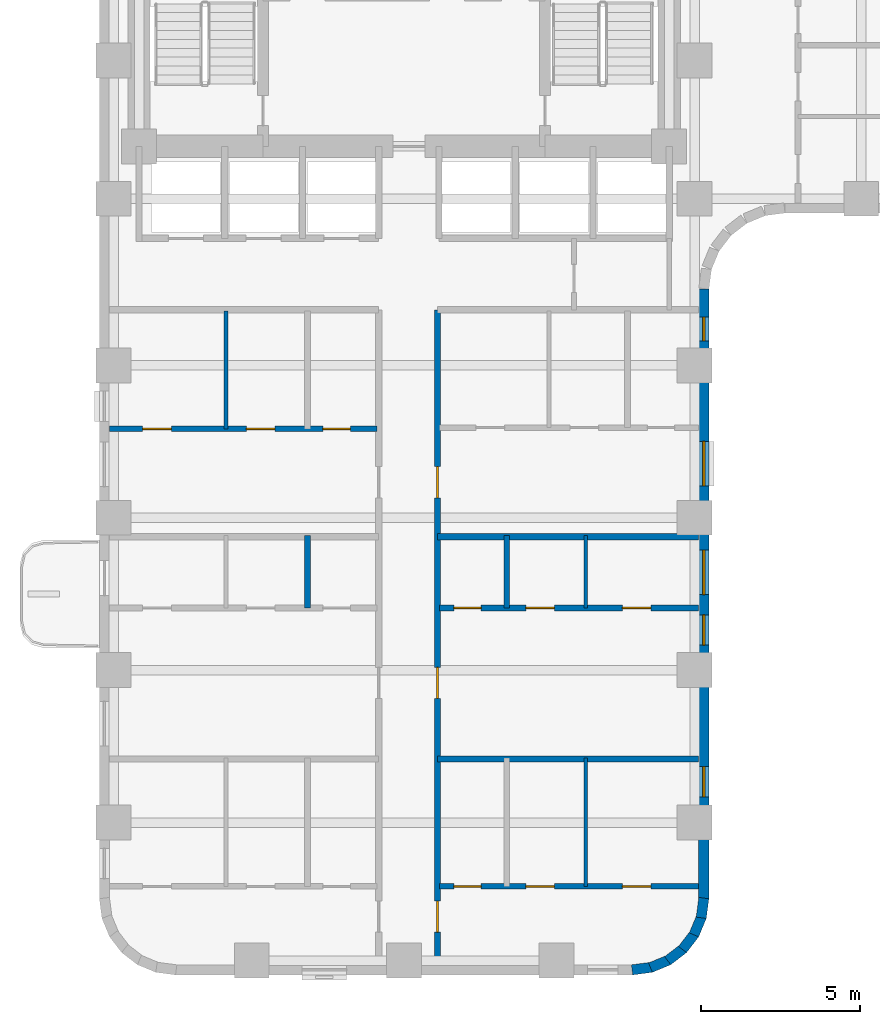
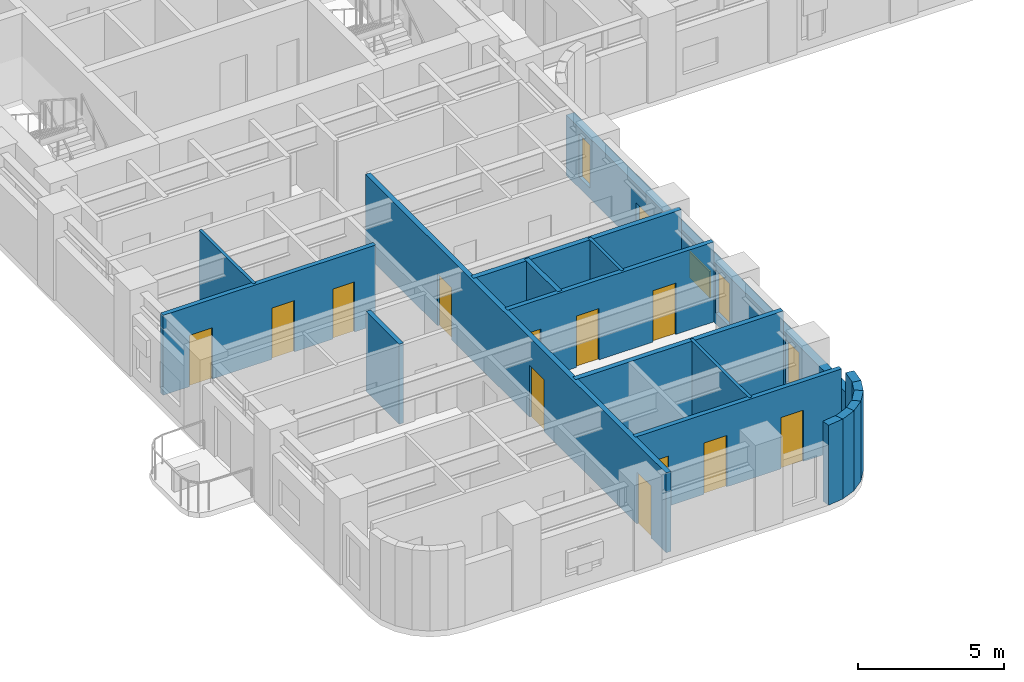
# One storey, part 3 of 10: 18 walls, 12 doors, 5 windows, 17 openings.
"""IFC4 building model written with IfcOpenShell, lengths in metres."""

import ifcopenshell
import ifcopenshell.guid

model = None  # the IFC model being written
_history = None  # IfcOwnerHistory: only IFC2X3 demands one
_inside = {}  # id of a spatial element -> (the spatial element, [elements in it])
_under = {}  # id of a project, library or spatial element -> (it, [spatial elements below it])
_declared = {}  # id of a project -> (the project, [libraries it declares])
_typed = {}  # id of a type object -> (the type object, [elements of that type])
_made_of = {}  # id of a material, layer set ... -> (it, [elements and type objects made of it])


def new_model(schema):
    """Start an empty IFC model of exactly this schema.

    Asked for "IFC4X3", IfcOpenShell would pick the latest addendum, in which some entities
    have other attributes; the version numbers below select the first issue.
    IFC2X3 requires an IfcOwnerHistory on every rooted entity: one is made here for all.
    """
    global model, _history
    if schema == "IFC4X3":
        model = ifcopenshell.file(schema_version=(4, 3, 0, 0))
    else:
        model = ifcopenshell.file(schema=schema)
    _inside.clear()
    _under.clear()
    _declared.clear()
    _typed.clear()
    _made_of.clear()
    _history = None
    if model.schema == "IFC2X3":
        org = make("IfcOrganization", Name="unknown")
        user = make(
            "IfcPersonAndOrganization",
            ThePerson=make("IfcPerson", FamilyName="unknown"),
            TheOrganization=org,
        )
        app = make(
            "IfcApplication",
            ApplicationDeveloper=org,
            Version="unknown",
            ApplicationFullName="unknown",
            ApplicationIdentifier="unknown",
        )
        _history = make(
            "IfcOwnerHistory",
            OwningUser=user,
            OwningApplication=app,
            ChangeAction="ADDED",
            CreationDate=0,
        )
    return model


def make(cls, **values):
    """One entity of the class cls with the attributes given. An attribute that is None is left unset."""
    return model.create_entity(
        cls, **{name: value for name, value in values.items() if value is not None}
    )


def rooted(cls, **values):
    """An entity with a GlobalId (a new one), such as an element, a storey or a relation."""
    return make(cls, GlobalId=ifcopenshell.guid.new(), OwnerHistory=_history, **values)


def si_unit(unit_type, name, prefix=None):
    """IfcSIUnit, for example si_unit("LENGTHUNIT", "METRE", prefix="MILLI")."""
    return make("IfcSIUnit", UnitType=unit_type, Prefix=prefix, Name=name)


def assignment(units):
    """IfcUnitAssignment: the units of a project."""
    return None if units is None else make("IfcUnitAssignment", Units=units)


def point(xyz):
    """IfcCartesianPoint."""
    return None if xyz is None else make("IfcCartesianPoint", Coordinates=xyz)


def direction(xyz):
    """IfcDirection."""
    return None if xyz is None else make("IfcDirection", DirectionRatios=xyz)


def frame(location, z_axis=None, x_axis=None):
    """IfcAxis2Placement3D, a coordinate frame: its origin and axes. An axis left out is left unset."""
    return make(
        "IfcAxis2Placement3D",
        Location=point(location),
        Axis=direction(z_axis),
        RefDirection=direction(x_axis),
    )


def frame_2d(location, x_axis=None):
    """IfcAxis2Placement2D, a coordinate frame in the plane: its origin and x axis."""
    return make(
        "IfcAxis2Placement2D", Location=point(location), RefDirection=direction(x_axis)
    )


def origin():
    """The frame at (0, 0, 0) with its axes left unset."""
    return frame((0.0, 0.0, 0.0))


def place(relative_to, where):
    """IfcLocalPlacement: puts the frame where relative to a parent placement (None: the world)."""
    return make(
        "IfcLocalPlacement", PlacementRelTo=relative_to, RelativePlacement=where
    )


def context(
    kind, dimensions, precision=None, world=None, true_north=None, identifier=None
):
    """IfcGeometricRepresentationContext, for example the 3D "Model" context."""
    return make(
        "IfcGeometricRepresentationContext",
        ContextIdentifier=identifier,
        ContextType=kind,
        CoordinateSpaceDimension=dimensions,
        Precision=precision,
        WorldCoordinateSystem=world,
        TrueNorth=true_north,
    )


def subcontext(parent, identifier, kind, view, scale=None):
    """IfcGeometricRepresentationSubContext, for example "Body" below "Model"."""
    return make(
        "IfcGeometricRepresentationSubContext",
        ContextIdentifier=identifier,
        ContextType=kind,
        ParentContext=parent,
        TargetScale=scale,
        TargetView=view,
    )


def project(units=None, contexts=None):
    """IfcProject with its units and contexts."""
    return rooted(
        "IfcProject",
        Name="project",
        RepresentationContexts=contexts,
        UnitsInContext=assignment(units),
    )


def spatial(cls, under=None, at=None, **own):
    """A site, building, storey or space (cls), placed at a placement, below another one or the project."""
    s = rooted(cls, ObjectPlacement=at, **own)
    if under is not None:
        _under.setdefault(under.id(), (under, []))[1].append(s)
    return s


def profile(cls, at=None, kind="AREA", **sizes):
    """A parametric profile (cls). Its sizes go by their IFC names, for example OverallWidth=200.0."""
    return make(cls, ProfileType=kind, Position=at, **sizes)


def rectangle(**sizes):
    """IfcRectangleProfileDef."""
    return profile("IfcRectangleProfileDef", **sizes)


def extrude(swept, where, along, depth):
    """IfcExtrudedAreaSolid: the profile swept, set in the frame where, extruded along a direction by depth."""
    return make(
        "IfcExtrudedAreaSolid",
        SweptArea=swept,
        Position=where,
        ExtrudedDirection=direction(along),
        Depth=depth,
    )


def shape(context_of_items, identifier, shape_type, items):
    """IfcShapeRepresentation: the items that make up one representation, for example the "Body"."""
    return make(
        "IfcShapeRepresentation",
        ContextOfItems=context_of_items,
        RepresentationIdentifier=identifier,
        RepresentationType=shape_type,
        Items=items,
    )


def material(Name=None, Category=None):
    """IfcMaterial."""
    return make("IfcMaterial", Name=Name, Category=Category)


def layer(
    of_material, thickness, ventilated=None, Name=None, Category=None, Priority=None
):
    """IfcMaterialLayer: one layer of a wall or slab, of a material (None: an air gap)."""
    return make(
        "IfcMaterialLayer",
        Material=of_material,
        LayerThickness=thickness,
        IsVentilated=ventilated,
        Name=Name,
        Category=Category,
        Priority=Priority,
    )


def layer_set(layers, Name=None):
    """IfcMaterialLayerSet."""
    return make("IfcMaterialLayerSet", MaterialLayers=layers, LayerSetName=Name)


def made_of(thing, what):
    """Note that an element or type object is made of a material, layer set ...; save() writes the relation."""
    if what is not None:
        _made_of.setdefault(what.id(), (what, []))[1].append(thing)
    return thing


def type_object(cls, material=None, **own):
    """A type object (cls), such as IfcWallType, which elements share."""
    return made_of(rooted(cls, **own), material)


def element(
    cls,
    number,
    at=None,
    inside=None,
    cuts=None,
    type_object=None,
    material=None,
    context=None,
    identifier="Body",
    shape_type=None,
    held_by="IfcProductDefinitionShape",
    body=None,
    shapes=None,
    **own,
):
    """One element of the class cls, such as IfcWall. Its Tag is "e" and its number.

    at: its placement. inside: the storey or other place that contains it. cuts: it is an
    opening in that element (IfcRelVoidsElement). A single representation is given by context,
    identifier, shape_type and body (its items); several are given by shapes. held_by: the class
    of the entity that holds the representations. save() writes the other relations.
    """
    e = rooted(cls, Tag="e%d" % number, ObjectPlacement=at, **own)
    if body is not None:
        shapes = [shape(context, identifier, shape_type, body)]
    if shapes is not None:
        e.Representation = make(held_by, Representations=shapes)
    if inside is not None:
        _inside.setdefault(inside.id(), (inside, []))[1].append(e)
    if cuts is not None:
        rooted(
            "IfcRelVoidsElement", RelatingBuildingElement=cuts, RelatedOpeningElement=e
        )
    if type_object is not None:
        _typed.setdefault(type_object.id(), (type_object, []))[1].append(e)
    return made_of(e, material)


def fill(opening, filler):
    """IfcRelFillsElement: the door or window that sits in an opening."""
    return rooted(
        "IfcRelFillsElement",
        RelatingOpeningElement=opening,
        RelatedBuildingElement=filler,
    )


def aggregate(whole, parts):
    """IfcRelAggregates: a whole, such as a stair, and the parts it consists of."""
    return rooted("IfcRelAggregates", RelatingObject=whole, RelatedObjects=parts)


def save(model, path):
    """Write the relations noted so far, then the file.

    IfcRelAggregates (storeys below a building ...), IfcRelContainedInSpatialStructure (elements
    in a storey), IfcRelDefinesByType, IfcRelAssociatesMaterial and IfcRelDeclares: one each for
    every whole, place, type object, material and project.
    """
    for whole, parts in _under.values():
        aggregate(whole, parts)
    for where, things in _inside.values():
        rooted(
            "IfcRelContainedInSpatialStructure",
            RelatedElements=things,
            RelatingStructure=where,
        )
    for kind, things in _typed.values():
        rooted("IfcRelDefinesByType", RelatedObjects=things, RelatingType=kind)
    for what, things in _made_of.values():
        rooted("IfcRelAssociatesMaterial", RelatedObjects=things, RelatingMaterial=what)
    for by, libraries in _declared.values():
        rooted("IfcRelDeclares", RelatingContext=by, RelatedDefinitions=libraries)
    model.write(path)


model = new_model("IFC4")

# Units and contexts
model_context = context("Model", 3, precision=1e-05, world=origin(), true_north=direction((0.0, 1.0)))
body_context = subcontext(model_context, "Body", "Model", "MODEL_VIEW")
ifc_project = project(units=[si_unit("LENGTHUNIT", "METRE"), si_unit("AREAUNIT", "SQUARE_METRE"), si_unit("VOLUMEUNIT", "CUBIC_METRE"), si_unit("PLANEANGLEUNIT", "RADIAN"), si_unit("MASSUNIT", "GRAM", prefix="KILO")], contexts=[model_context])

# Site, building, storey
site_placement = place(None, origin())
site = spatial("IfcSite", under=ifc_project, at=site_placement, CompositionType="ELEMENT")
building_placement = place(site_placement, origin())
building = spatial("IfcBuilding", under=site, at=building_placement, Name="Orvandelia Arch Residences", CompositionType="ELEMENT")
storey_placement = place(building_placement, frame((0.0, 0.0, 28.60009765625)))
storey = spatial("IfcBuildingStorey", under=building, at=storey_placement, Name="L06", CompositionType="ELEMENT", Elevation=28.60009765625)

# Wall, openings, doors
ifc_material_1 = material(Name="Fire-Rated Corridor Partition")
ifc_layer_1 = layer(ifc_material_1, 0.199951171875, Name="Fire-Rated Corridor Partition")
ifc_layer_set_1 = layer_set([ifc_layer_1], Name="Fire-Rated Corridor Partition")
wall_type_1 = type_object("IfcWallType", Name="WL-CORR-200", PredefinedType="PARTITIONING", material=ifc_layer_set_1)
wall_1_placement = place(storey_placement, frame((15.449951171875, 5.1201171875, 0.0), z_axis=(0.0, 0.0, 1.0), x_axis=(0.0, 1.0, 0.0)))
wall_1 = element("IfcWall", 1, at=wall_1_placement, inside=storey, type_object=wall_type_1, Name="Interior Partition Wall WL-L06-WC-E", PredefinedType="PARTITIONING", context=body_context, shape_type="SweptSolid", body=[
    extrude(rectangle(XDim=20.6298828125, YDim=0.199951171875, at=frame_2d((10.31494140625, 0.0))), origin(), (0.0, 0.0, 1.0), 3.349853515625),
])
opening_1_placement = place(wall_1_placement, frame((1.02490234375, 0.0, 0.0)))
opening_1 = element("IfcOpeningElement", 2, at=opening_1_placement, cuts=wall_1, Name="Opening D1", PredefinedType="OPENING", context=body_context, shape_type="SweptSolid", body=[
    extrude(rectangle(XDim=0.97998046875, YDim=2.179931640625, at=frame_2d((0.489990234375, 1.08984375))), frame((0.0, 0.10986328125, 0.0), z_axis=(0.0, -1.0, 0.0), x_axis=(1.0, 0.0, 0.0)), (0.0, 0.0, 1.0), 0.219970703125),
])
opening_2_placement = place(wall_1_placement, frame((8.389892578125, 0.0, 0.0)))
opening_2 = element("IfcOpeningElement", 3, at=opening_2_placement, cuts=wall_1, Name="Opening D1", PredefinedType="OPENING", context=body_context, shape_type="SweptSolid", body=[
    extrude(rectangle(XDim=0.97998046875, YDim=2.179931640625, at=frame_2d((0.489990234375, 1.08984375))), frame((0.0, 0.10986328125, 0.0), z_axis=(0.0, -1.0, 0.0), x_axis=(1.0, 0.0, 0.0)), (0.0, 0.0, 1.0), 0.219970703125),
])
opening_3_placement = place(wall_1_placement, frame((14.7099609375, 0.0, 0.0)))
opening_3 = element("IfcOpeningElement", 4, at=opening_3_placement, cuts=wall_1, Name="Opening D1", PredefinedType="OPENING", context=body_context, shape_type="SweptSolid", body=[
    extrude(rectangle(XDim=0.97998046875, YDim=2.179931640625, at=frame_2d((0.489990234375, 1.08984375))), frame((0.0, 0.10986328125, 0.0), z_axis=(0.0, -1.0, 0.0), x_axis=(1.0, 0.0, 0.0)), (0.0, 0.0, 1.0), 0.219970703125),
])
ifc_material_2 = material(Name="Solid-Core Timber Acoustic Fire Door", Category="wood")
door_type_1 = type_object("IfcDoorType", Name="DR-ENT-980", OperationType="NOTDEFINED", PredefinedType="DOOR", material=ifc_material_2)
door_1_placement = place(opening_1_placement, origin())
door_1 = element("IfcDoor", 5, at=door_1_placement, inside=storey, type_object=door_type_1, Name="Unit L06-04 Entrance Door", OperationType="SINGLE_SWING_RIGHT", OverallHeight=2.179931640625, OverallWidth=0.97998046875, PredefinedType="DOOR", context=body_context, shape_type="SweptSolid", body=[
    extrude(rectangle(XDim=0.97998046875, YDim=2.179931640625, at=frame_2d((0.489990234375, 1.08984375))), frame((0.0, 0.02490234375, 0.0), z_axis=(0.0, -1.0, 0.0), x_axis=(1.0, 0.0, 0.0)), (0.0, 0.0, 1.0), 0.050048828125),
])
fill(opening_1, door_1)
door_2_placement = place(opening_2_placement, origin())
door_2 = element("IfcDoor", 6, at=door_2_placement, inside=storey, type_object=door_type_1, Name="Unit L06-05 Entrance Door", OperationType="SINGLE_SWING_LEFT", OverallHeight=2.179931640625, OverallWidth=0.97998046875, PredefinedType="DOOR", context=body_context, shape_type="SweptSolid", body=[
    extrude(rectangle(XDim=0.97998046875, YDim=2.179931640625, at=frame_2d((0.489990234375, 1.08984375))), frame((0.0, 0.02490234375, 0.0), z_axis=(0.0, -1.0, 0.0), x_axis=(1.0, 0.0, 0.0)), (0.0, 0.0, 1.0), 0.050048828125),
])
fill(opening_2, door_2)
door_3_placement = place(opening_3_placement, origin())
door_3 = element("IfcDoor", 7, at=door_3_placement, inside=storey, type_object=door_type_1, Name="Unit L06-06 Entrance Door", OperationType="SINGLE_SWING_RIGHT", OverallHeight=2.179931640625, OverallWidth=0.97998046875, PredefinedType="DOOR", context=body_context, shape_type="SweptSolid", body=[
    extrude(rectangle(XDim=0.97998046875, YDim=2.179931640625, at=frame_2d((0.489990234375, 1.08984375))), frame((0.0, 0.02490234375, 0.0), z_axis=(0.0, -1.0, 0.0), x_axis=(1.0, 0.0, 0.0)), (0.0, 0.0, 1.0), 0.050048828125),
])
fill(opening_3, door_3)

# Walls
ifc_material_3 = material(Name="Concrete C40/50", Category="concrete")
ifc_layer_2 = layer(ifc_material_3, 0.199951171875, Name="Concrete C40/50", Category="concrete")
ifc_layer_set_2 = layer_set([ifc_layer_2], Name="Concrete C40/50")
wall_type_2 = type_object("IfcWallType", Name="WL-DEM-200", PredefinedType="SOLIDWALL", material=ifc_layer_set_2)
for number, where, z_axis, x_axis, name in (
    (8, (15.449951171875, 11.60009765625, 0.0), (0.0, 0.0, 1.0), (1.0, 0.0, 0.0), "Interior Partition Wall WL-L06-DEM-WR-116"),
    (9, (15.449951171875, 18.60009765625, 0.0), (0.0, 0.0, 1.0), (1.0, 0.0, 0.0), "Interior Partition Wall WL-L06-DEM-WR-186"),
):
    element("IfcWall", number, at=place(storey_placement, frame(where, z_axis=z_axis, x_axis=x_axis)), inside=storey, type_object=wall_type_2, Name=name, PredefinedType="SOLIDWALL", context=body_context, shape_type="SweptSolid", body=[
        extrude(rectangle(XDim=8.22998046875, YDim=0.199951171875, at=frame_2d((4.114990234375, 0.0))), origin(), (0.0, 0.0, 1.0), 3.349853515625),
    ])

# Wall, openings, windows
ifc_material_4 = material(Name="Precast concrete C40/50", Category="concrete")
ifc_layer_3 = layer(ifc_material_4, 0.320068359375, Name="Precast concrete C40/50", Category="concrete")
ifc_layer_set_3 = layer_set([ifc_layer_3], Name="Precast concrete C40/50")
wall_type_3 = type_object("IfcWallType", Name="WL-EXT-STONE-320", PredefinedType="STANDARD", material=ifc_layer_set_3)
wall_2_placement = place(storey_placement, frame((23.840087890625, 26.39990234375, 0.0), z_axis=(0.0, 0.0, 1.0), x_axis=(0.0, -1.0, 0.0)))
wall_2 = element("IfcWall", 10, at=wall_2_placement, inside=storey, type_object=wall_type_3, Name="Coral-Limestone Precast Facade Wall L06-028", PredefinedType="STANDARD", context=body_context, shape_type="SweptSolid", body=[
    extrude(rectangle(XDim=19.199951171875, YDim=0.320068359375, at=frame_2d((9.60009765625, 0.0))), origin(), (0.0, 0.0, 1.0), 2.52978515625),
])
opening_4_placement = place(wall_2_placement, frame((15.0400390625, 0.0, 0.449951171875)))
opening_4 = element("IfcOpeningElement", 11, at=opening_4_placement, cuts=wall_2, Name="Opening W4", PredefinedType="OPENING", context=body_context, shape_type="SweptSolid", body=[
    extrude(rectangle(XDim=0.949951171875, YDim=1.800048828125, at=frame_2d((0.47509765625, 0.89990234375))), frame((0.0, 0.169921875, 0.0), z_axis=(0.0, -1.0, 0.0), x_axis=(1.0, 0.0, 0.0)), (0.0, 0.0, 1.0), 0.340087890625),
])
opening_5_placement = place(wall_2_placement, frame((8.219970703125, 0.0, 0.64990234375)))
opening_5 = element("IfcOpeningElement", 12, at=opening_5_placement, cuts=wall_2, Name="Opening W10", PredefinedType="OPENING", context=body_context, shape_type="SweptSolid", body=[
    extrude(rectangle(XDim=1.39990234375, YDim=1.10009765625, at=frame_2d((0.699951171875, 0.550048828125))), frame((0.0, 0.169921875, 0.0), z_axis=(0.0, -1.0, 0.0), x_axis=(1.0, 0.0, 0.0)), (0.0, 0.0, 1.0), 0.340087890625),
])
opening_6_placement = place(wall_2_placement, frame((4.794921875, 0.0, 0.64990234375)))
opening_6 = element("IfcOpeningElement", 13, at=opening_6_placement, cuts=wall_2, Name="Opening W10", PredefinedType="OPENING", context=body_context, shape_type="SweptSolid", body=[
    extrude(rectangle(XDim=1.39990234375, YDim=1.10009765625, at=frame_2d((0.699951171875, 0.550048828125))), frame((0.0, 0.169921875, 0.0), z_axis=(0.0, -1.0, 0.0), x_axis=(1.0, 0.0, 0.0)), (0.0, 0.0, 1.0), 0.340087890625),
])
opening_7_placement = place(wall_2_placement, frame((10.260009765625, 0.0, 0.449951171875)))
opening_7 = element("IfcOpeningElement", 14, at=opening_7_placement, cuts=wall_2, Name="Opening W4", PredefinedType="OPENING", context=body_context, shape_type="SweptSolid", body=[
    extrude(rectangle(XDim=0.949951171875, YDim=1.800048828125, at=frame_2d((0.47509765625, 0.89990234375))), frame((0.0, 0.169921875, 0.0), z_axis=(0.0, -1.0, 0.0), x_axis=(1.0, 0.0, 0.0)), (0.0, 0.0, 1.0), 0.340087890625),
])
opening_8_placement = place(wall_2_placement, frame((0.8798828125, 0.0, 0.449951171875)))
opening_8 = element("IfcOpeningElement", 15, at=opening_8_placement, cuts=wall_2, Name="Opening W11", PredefinedType="OPENING", context=body_context, shape_type="SweptSolid", body=[
    extrude(rectangle(XDim=0.75, YDim=1.800048828125, at=frame_2d((0.375, 0.89990234375))), frame((0.0, 0.169921875, 0.0), z_axis=(0.0, -1.0, 0.0), x_axis=(1.0, 0.0, 0.0)), (0.0, 0.0, 1.0), 0.340087890625),
])
ifc_material_5 = material(Name="Tempered Low-E Insulated Glazing", Category="glass")
window_type_1 = type_object("IfcWindowType", Name="WIN-BED-0750x1800", PartitioningType="SINGLE_PANEL", PredefinedType="WINDOW", material=ifc_material_5)
window_1_placement = place(opening_8_placement, origin())
window_1 = element("IfcWindow", 16, at=window_1_placement, inside=storey, type_object=window_type_1, Name="Recessed Punched Window L06-026", OverallHeight=1.800048828125, OverallWidth=0.75, PartitioningType="SINGLE_PANEL", PredefinedType="WINDOW", context=body_context, shape_type="SweptSolid", body=[
    extrude(rectangle(XDim=0.75, YDim=1.800048828125, at=frame_2d((0.375, 0.89990234375))), frame((0.0, 0.030029296875, 0.0), z_axis=(0.0, -1.0, 0.0), x_axis=(1.0, 0.0, 0.0)), (0.0, 0.0, 1.0), 0.06005859375),
])
fill(opening_8, window_1)
window_type_2 = type_object("IfcWindowType", Name="WIN-CLR-1400x1100", PartitioningType="SINGLE_PANEL", PredefinedType="WINDOW", material=ifc_material_5)
window_2_placement = place(opening_5_placement, origin())
window_2 = element("IfcWindow", 17, at=window_2_placement, inside=storey, type_object=window_type_2, Name="Recessed Punched Window L06-023", OverallHeight=1.10009765625, OverallWidth=1.39990234375, PartitioningType="SINGLE_PANEL", PredefinedType="WINDOW", context=body_context, shape_type="SweptSolid", body=[
    extrude(rectangle(XDim=1.39990234375, YDim=1.10009765625, at=frame_2d((0.699951171875, 0.550048828125))), frame((0.0, 0.030029296875, 0.0), z_axis=(0.0, -1.0, 0.0), x_axis=(1.0, 0.0, 0.0)), (0.0, 0.0, 1.0), 0.06005859375),
])
fill(opening_5, window_2)
window_3_placement = place(opening_6_placement, origin())
window_3 = element("IfcWindow", 18, at=window_3_placement, inside=storey, type_object=window_type_2, Name="Recessed Punched Window L06-024", OverallHeight=1.10009765625, OverallWidth=1.39990234375, PartitioningType="SINGLE_PANEL", PredefinedType="WINDOW", context=body_context, shape_type="SweptSolid", body=[
    extrude(rectangle(XDim=1.39990234375, YDim=1.10009765625, at=frame_2d((0.699951171875, 0.550048828125))), frame((0.0, 0.030029296875, 0.0), z_axis=(0.0, -1.0, 0.0), x_axis=(1.0, 0.0, 0.0)), (0.0, 0.0, 1.0), 0.06005859375),
])
fill(opening_6, window_3)
window_type_3 = type_object("IfcWindowType", Name="WIN-RES-0950x1800", PartitioningType="SINGLE_PANEL", PredefinedType="WINDOW", material=ifc_material_5)
window_4_placement = place(opening_4_placement, origin())
window_4 = element("IfcWindow", 19, at=window_4_placement, inside=storey, type_object=window_type_3, Name="Recessed Punched Window L06-022", OverallHeight=1.800048828125, OverallWidth=0.949951171875, PartitioningType="SINGLE_PANEL", PredefinedType="WINDOW", context=body_context, shape_type="SweptSolid", body=[
    extrude(rectangle(XDim=0.949951171875, YDim=1.800048828125, at=frame_2d((0.47509765625, 0.89990234375))), frame((0.0, 0.030029296875, 0.0), z_axis=(0.0, -1.0, 0.0), x_axis=(1.0, 0.0, 0.0)), (0.0, 0.0, 1.0), 0.06005859375),
])
fill(opening_4, window_4)
window_5_placement = place(opening_7_placement, origin())
window_5 = element("IfcWindow", 20, at=window_5_placement, inside=storey, type_object=window_type_3, Name="Recessed Punched Window L06-025", OverallHeight=1.800048828125, OverallWidth=0.949951171875, PartitioningType="SINGLE_PANEL", PredefinedType="WINDOW", context=body_context, shape_type="SweptSolid", body=[
    extrude(rectangle(XDim=0.949951171875, YDim=1.800048828125, at=frame_2d((0.47509765625, 0.89990234375))), frame((0.0, 0.030029296875, 0.0), z_axis=(0.0, -1.0, 0.0), x_axis=(1.0, 0.0, 0.0)), (0.0, 0.0, 1.0), 0.06005859375),
])
fill(opening_7, window_5)

# Walls
wall_3_placement = place(storey_placement, frame((23.84130859375, 7.220947265625, 0.0), z_axis=(0.0, 0.0, 1.0), x_axis=(-0.130504898859, -0.991447664465, 0.0)))
element("IfcWall", 21, at=wall_3_placement, inside=storey, type_object=wall_type_3, Name="Coral-Limestone Precast Facade Wall L06-029", PredefinedType="STANDARD", context=body_context, shape_type="SweptSolid", body=[
    extrude(rectangle(XDim=0.626708984375, YDim=0.320068359375, at=frame_2d((0.3134765625, 0.0))), origin(), (0.0, 0.0, 1.0), 3.349853515625),
])
wall_4_placement = place(storey_placement, frame((23.7705078125, 6.639892578125, 0.0), z_axis=(0.0, 0.0, 1.0), x_axis=(-0.382787856107, -0.923836271867, 0.0)))
element("IfcWall", 22, at=wall_4_placement, inside=storey, type_object=wall_type_3, Name="Coral-Limestone Precast Facade Wall L06-030", PredefinedType="STANDARD", context=body_context, shape_type="SweptSolid", body=[
    extrude(rectangle(XDim=0.626220703125, YDim=0.320068359375, at=frame_2d((0.31298828125, 0.0))), origin(), (0.0, 0.0, 1.0), 3.349853515625),
])
wall_5_placement = place(storey_placement, frame((23.551513671875, 6.097412109375, 0.0), z_axis=(0.0, 0.0, 1.0), x_axis=(-0.608693302629, -0.793405610854, 0.0)))
element("IfcWall", 23, at=wall_5_placement, inside=storey, type_object=wall_type_3, Name="Coral-Limestone Precast Facade Wall L06-031", PredefinedType="STANDARD", context=body_context, shape_type="SweptSolid", body=[
    extrude(rectangle(XDim=0.62646484375, YDim=0.320068359375, at=frame_2d((0.313232421875, 0.0))), origin(), (0.0, 0.0, 1.0), 3.349853515625),
])
wall_6_placement = place(storey_placement, frame((23.19970703125, 5.6298828125, 0.0), z_axis=(0.0, 0.0, 1.0), x_axis=(-0.7932174212, -0.608938521285, 0.0)))
element("IfcWall", 24, at=wall_6_placement, inside=storey, type_object=wall_type_3, Name="Coral-Limestone Precast Facade Wall L06-032", PredefinedType="STANDARD", context=body_context, shape_type="SweptSolid", body=[
    extrude(rectangle(XDim=0.626708984375, YDim=0.320068359375, at=frame_2d((0.3134765625, 0.0))), origin(), (0.0, 0.0, 1.0), 3.349853515625),
])
for number, where, z_axis, x_axis, name in (
    (25, (22.73876953125, 5.269287109375, 0.0), (0.0, 0.0, 1.0), (-0.92389335771, -0.382650053678, 0.0), "Coral-Limestone Precast Facade Wall L06-033"),
    (26, (22.2001953125, 5.040283203125, 0.0), (0.0, 0.0, 1.0), (-0.9914410257, -0.130555323746, 0.0), "Coral-Limestone Precast Facade Wall L06-034"),
):
    element("IfcWall", number, at=place(storey_placement, frame(where, z_axis=z_axis, x_axis=x_axis)), inside=storey, type_object=wall_type_3, Name=name, PredefinedType="STANDARD", context=body_context, shape_type="SweptSolid", body=[
        extrude(rectangle(XDim=0.62646484375, YDim=0.320068359375, at=frame_2d((0.313232421875, 0.0))), origin(), (0.0, 0.0, 1.0), 3.349853515625),
    ])
ifc_material_6 = material(Name="Lightweight Gypsum Stud Partition")
ifc_layer_4 = layer(ifc_material_6, 0.1201171875, Name="Lightweight Gypsum Stud Partition")
ifc_layer_set_4 = layer_set([ifc_layer_4], Name="Lightweight Gypsum Stud Partition")
wall_type_4 = type_object("IfcWallType", Name="WL-PART-120", PredefinedType="PARTITIONING", material=ifc_layer_set_4)
wall_7_placement = place(storey_placement, frame((8.791015625, 22.0, 0.0), z_axis=(0.0, 0.0, 1.0), x_axis=(0.0, 1.0, 0.0)))
element("IfcWall", 27, at=wall_7_placement, inside=storey, type_object=wall_type_4, Name="Interior Partition Wall WL-L06-U03-V1", PredefinedType="PARTITIONING", context=body_context, shape_type="SweptSolid", body=[
    extrude(rectangle(XDim=3.719970703125, YDim=0.1201171875, at=frame_2d((1.85986328125, 0.0))), origin(), (0.0, 0.0, 1.0), 3.349853515625),
])
wall_8_placement = place(storey_placement, frame((20.118896484375, 7.590087890625, 0.0), z_axis=(0.0, 0.0, 1.0), x_axis=(0.0, 1.0, 0.0)))
element("IfcWall", 28, at=wall_8_placement, inside=storey, type_object=wall_type_4, Name="Interior Partition Wall WL-L06-U04-V2", PredefinedType="PARTITIONING", context=body_context, shape_type="SweptSolid", body=[
    extrude(rectangle(XDim=4.0498046875, YDim=0.1201171875, at=frame_2d((2.02490234375, 0.0))), origin(), (0.0, 0.0, 1.0), 3.349853515625),
])
wall_9_placement = place(storey_placement, frame((20.118896484375, 16.360107421875, 0.0), z_axis=(0.0, 0.0, 1.0), x_axis=(0.0, 1.0, 0.0)))
element("IfcWall", 29, at=wall_9_placement, inside=storey, type_object=wall_type_4, Name="Interior Partition Wall WL-L06-U05-V2", PredefinedType="PARTITIONING", context=body_context, shape_type="SweptSolid", body=[
    extrude(rectangle(XDim=2.27978515625, YDim=0.1201171875, at=frame_2d((1.139892578125, 0.0))), origin(), (0.0, 0.0, 1.0), 3.349853515625),
])
ifc_material_7 = material(Name="Moisture-Resistant Plumbing Wall")
ifc_layer_5 = layer(ifc_material_7, 0.179931640625, Name="Moisture-Resistant Plumbing Wall")
ifc_layer_set_5 = layer_set([ifc_layer_5], Name="Moisture-Resistant Plumbing Wall")
wall_type_5 = type_object("IfcWallType", Name="WL-WET-180", PredefinedType="PLUMBINGWALL", material=ifc_layer_set_5)
wall_10_placement = place(storey_placement, frame((11.35498046875, 16.360107421875, 0.0), z_axis=(0.0, 0.0, 1.0), x_axis=(0.0, 1.0, 0.0)))
element("IfcWall", 30, at=wall_10_placement, inside=storey, type_object=wall_type_5, Name="Interior Partition Wall WL-L06-U02-V2", PredefinedType="PLUMBINGWALL", context=body_context, shape_type="SweptSolid", body=[
    extrude(rectangle(XDim=2.27978515625, YDim=0.179931640625, at=frame_2d((1.139892578125, 0.0))), origin(), (0.0, 0.0, 1.0), 3.349853515625),
])

# Wall, openings, doors
wall_11_placement = place(storey_placement, frame((5.1201171875, 22.0, 0.0), z_axis=(0.0, 0.0, 1.0), x_axis=(1.0, 0.0, 0.0)))
wall_11 = element("IfcWall", 31, at=wall_11_placement, inside=storey, type_object=wall_type_5, Name="Interior Partition Wall WL-L06-U03-HZ", PredefinedType="PLUMBINGWALL", context=body_context, shape_type="SweptSolid", body=[
    extrude(rectangle(XDim=8.419921875, YDim=0.179931640625, at=frame_2d((4.2099609375, 0.0))), origin(), (0.0, 0.0, 1.0), 3.349853515625),
])
opening_9_placement = place(wall_11_placement, frame((1.04638671875, 0.0, 0.0)))
opening_9 = element("IfcOpeningElement", 32, at=opening_9_placement, cuts=wall_11, Name="Opening D3", PredefinedType="OPENING", context=body_context, shape_type="SweptSolid", body=[
    extrude(rectangle(XDim=0.89990234375, YDim=2.14990234375, at=frame_2d((0.449951171875, 1.074951171875))), frame((0.0, 0.10009765625, 0.0), z_axis=(0.0, -1.0, 0.0), x_axis=(1.0, 0.0, 0.0)), (0.0, 0.0, 1.0), 0.199951171875),
])
opening_10_placement = place(wall_11_placement, frame((4.307373046875, 0.0, 0.0)))
opening_10 = element("IfcOpeningElement", 33, at=opening_10_placement, cuts=wall_11, Name="Opening D3", PredefinedType="OPENING", context=body_context, shape_type="SweptSolid", body=[
    extrude(rectangle(XDim=0.89990234375, YDim=2.14990234375, at=frame_2d((0.449951171875, 1.074951171875))), frame((0.0, 0.10009765625, 0.0), z_axis=(0.0, -1.0, 0.0), x_axis=(1.0, 0.0, 0.0)), (0.0, 0.0, 1.0), 0.199951171875),
])
opening_11_placement = place(wall_11_placement, frame((6.723388671875, 0.0, 0.0)))
opening_11 = element("IfcOpeningElement", 34, at=opening_11_placement, cuts=wall_11, Name="Opening D4", PredefinedType="OPENING", context=body_context, shape_type="SweptSolid", body=[
    extrude(rectangle(XDim=0.860107421875, YDim=2.10009765625, at=frame_2d((0.43017578125, 1.050048828125))), frame((0.0, 0.10009765625, 0.0), z_axis=(0.0, -1.0, 0.0), x_axis=(1.0, 0.0, 0.0)), (0.0, 0.0, 1.0), 0.199951171875),
])
ifc_material_8 = material(Name="Engineered Timber Flush Door", Category="wood")
door_type_2 = type_object("IfcDoorType", Name="DR-INT-900", OperationType="NOTDEFINED", PredefinedType="DOOR", material=ifc_material_8)
door_4_placement = place(opening_9_placement, origin())
door_4 = element("IfcDoor", 35, at=door_4_placement, inside=storey, type_object=door_type_2, Name="DR-L06-U03-BD1", OperationType="SINGLE_SWING_LEFT", OverallHeight=2.14990234375, OverallWidth=0.89990234375, PredefinedType="DOOR", context=body_context, shape_type="SweptSolid", body=[
    extrude(rectangle(XDim=0.89990234375, YDim=2.14990234375, at=frame_2d((0.449951171875, 1.074951171875))), frame((0.0, 0.02490234375, 0.0), z_axis=(0.0, -1.0, 0.0), x_axis=(1.0, 0.0, 0.0)), (0.0, 0.0, 1.0), 0.050048828125),
])
fill(opening_9, door_4)
door_5_placement = place(opening_10_placement, origin())
door_5 = element("IfcDoor", 36, at=door_5_placement, inside=storey, type_object=door_type_2, Name="DR-L06-U03-KIT", OperationType="SINGLE_SWING_RIGHT", OverallHeight=2.14990234375, OverallWidth=0.89990234375, PredefinedType="DOOR", context=body_context, shape_type="SweptSolid", body=[
    extrude(rectangle(XDim=0.89990234375, YDim=2.14990234375, at=frame_2d((0.449951171875, 1.074951171875))), frame((0.0, 0.02490234375, 0.0), z_axis=(0.0, -1.0, 0.0), x_axis=(1.0, 0.0, 0.0)), (0.0, 0.0, 1.0), 0.050048828125),
])
fill(opening_10, door_5)
ifc_material_9 = material(Name="Moisture-Sealed Timber Bathroom Door", Category="wood")
door_type_3 = type_object("IfcDoorType", Name="DR-WET-900", OperationType="NOTDEFINED", PredefinedType="DOOR", material=ifc_material_9)
door_6_placement = place(opening_11_placement, origin())
door_6 = element("IfcDoor", 37, at=door_6_placement, inside=storey, type_object=door_type_3, Name="DR-L06-U03-BTH", OperationType="SINGLE_SWING_LEFT", OverallHeight=2.10009765625, OverallWidth=0.860107421875, PredefinedType="DOOR", context=body_context, shape_type="SweptSolid", body=[
    extrude(rectangle(XDim=0.860107421875, YDim=2.10009765625, at=frame_2d((0.43017578125, 1.050048828125))), frame((0.0, 0.02490234375, 0.0), z_axis=(0.0, -1.0, 0.0), x_axis=(1.0, 0.0, 0.0)), (0.0, 0.0, 1.0), 0.050048828125),
])
fill(opening_11, door_6)

wall_12_placement = place(storey_placement, frame((15.510009765625, 7.590087890625, 0.0), z_axis=(0.0, 0.0, 1.0), x_axis=(1.0, 0.0, 0.0)))
wall_12 = element("IfcWall", 38, at=wall_12_placement, inside=storey, type_object=wall_type_5, Name="Interior Partition Wall WL-L06-U04-HZ", PredefinedType="PLUMBINGWALL", context=body_context, shape_type="SweptSolid", body=[
    extrude(rectangle(XDim=8.169921875, YDim=0.179931640625, at=frame_2d((4.0849609375, 0.0))), origin(), (0.0, 0.0, 1.0), 3.349853515625),
])
opening_12_placement = place(wall_12_placement, frame((0.458984375, 0.0, 0.0)))
opening_12 = element("IfcOpeningElement", 39, at=opening_12_placement, cuts=wall_12, Name="Opening D4", PredefinedType="OPENING", context=body_context, shape_type="SweptSolid", body=[
    extrude(rectangle(XDim=0.860107421875, YDim=2.10009765625, at=frame_2d((0.43017578125, 1.050048828125))), frame((0.0, 0.10009765625, 0.0), z_axis=(0.0, -1.0, 0.0), x_axis=(1.0, 0.0, 0.0)), (0.0, 0.0, 1.0), 0.199951171875),
])
opening_13_placement = place(wall_12_placement, frame((2.722412109375, 0.0, 0.0)))
opening_13 = element("IfcOpeningElement", 40, at=opening_13_placement, cuts=wall_12, Name="Opening D3", PredefinedType="OPENING", context=body_context, shape_type="SweptSolid", body=[
    extrude(rectangle(XDim=0.89990234375, YDim=2.14990234375, at=frame_2d((0.449951171875, 1.074951171875))), frame((0.0, 0.10009765625, 0.0), z_axis=(0.0, -1.0, 0.0), x_axis=(1.0, 0.0, 0.0)), (0.0, 0.0, 1.0), 0.199951171875),
])
opening_14_placement = place(wall_12_placement, frame((5.76611328125, 0.0, 0.0)))
opening_14 = element("IfcOpeningElement", 41, at=opening_14_placement, cuts=wall_12, Name="Opening D3", PredefinedType="OPENING", context=body_context, shape_type="SweptSolid", body=[
    extrude(rectangle(XDim=0.89990234375, YDim=2.14990234375, at=frame_2d((0.449951171875, 1.074951171875))), frame((0.0, 0.10009765625, 0.0), z_axis=(0.0, -1.0, 0.0), x_axis=(1.0, 0.0, 0.0)), (0.0, 0.0, 1.0), 0.199951171875),
])
door_7_placement = place(opening_13_placement, origin())
door_7 = element("IfcDoor", 42, at=door_7_placement, inside=storey, type_object=door_type_2, Name="DR-L06-U04-KIT", OperationType="SINGLE_SWING_RIGHT", OverallHeight=2.14990234375, OverallWidth=0.89990234375, PredefinedType="DOOR", context=body_context, shape_type="SweptSolid", body=[
    extrude(rectangle(XDim=0.89990234375, YDim=2.14990234375, at=frame_2d((0.449951171875, 1.074951171875))), frame((0.0, 0.02490234375, 0.0), z_axis=(0.0, -1.0, 0.0), x_axis=(1.0, 0.0, 0.0)), (0.0, 0.0, 1.0), 0.050048828125),
])
fill(opening_13, door_7)
door_8_placement = place(opening_14_placement, origin())
door_8 = element("IfcDoor", 43, at=door_8_placement, inside=storey, type_object=door_type_2, Name="DR-L06-U04-BD1", OperationType="SINGLE_SWING_LEFT", OverallHeight=2.14990234375, OverallWidth=0.89990234375, PredefinedType="DOOR", context=body_context, shape_type="SweptSolid", body=[
    extrude(rectangle(XDim=0.89990234375, YDim=2.14990234375, at=frame_2d((0.449951171875, 1.074951171875))), frame((0.0, 0.02490234375, 0.0), z_axis=(0.0, -1.0, 0.0), x_axis=(1.0, 0.0, 0.0)), (0.0, 0.0, 1.0), 0.050048828125),
])
fill(opening_14, door_8)
door_9_placement = place(opening_12_placement, origin())
door_9 = element("IfcDoor", 44, at=door_9_placement, inside=storey, type_object=door_type_3, Name="DR-L06-U04-BTH", OperationType="SINGLE_SWING_LEFT", OverallHeight=2.10009765625, OverallWidth=0.860107421875, PredefinedType="DOOR", context=body_context, shape_type="SweptSolid", body=[
    extrude(rectangle(XDim=0.860107421875, YDim=2.10009765625, at=frame_2d((0.43017578125, 1.050048828125))), frame((0.0, 0.02490234375, 0.0), z_axis=(0.0, -1.0, 0.0), x_axis=(1.0, 0.0, 0.0)), (0.0, 0.0, 1.0), 0.050048828125),
])
fill(opening_12, door_9)

wall_13_placement = place(storey_placement, frame((15.510009765625, 16.360107421875, 0.0), z_axis=(0.0, 0.0, 1.0), x_axis=(1.0, 0.0, 0.0)))
wall_13 = element("IfcWall", 45, at=wall_13_placement, inside=storey, type_object=wall_type_5, Name="Interior Partition Wall WL-L06-U05-HZ", PredefinedType="PLUMBINGWALL", context=body_context, shape_type="SweptSolid", body=[
    extrude(rectangle(XDim=8.169921875, YDim=0.179931640625, at=frame_2d((4.0849609375, 0.0))), origin(), (0.0, 0.0, 1.0), 3.349853515625),
])
opening_15_placement = place(wall_13_placement, frame((0.458984375, 0.0, 0.0)))
opening_15 = element("IfcOpeningElement", 46, at=opening_15_placement, cuts=wall_13, Name="Opening D4", PredefinedType="OPENING", context=body_context, shape_type="SweptSolid", body=[
    extrude(rectangle(XDim=0.860107421875, YDim=2.10009765625, at=frame_2d((0.43017578125, 1.050048828125))), frame((0.0, 0.10009765625, 0.0), z_axis=(0.0, -1.0, 0.0), x_axis=(1.0, 0.0, 0.0)), (0.0, 0.0, 1.0), 0.199951171875),
])
opening_16_placement = place(wall_13_placement, frame((2.722412109375, 0.0, 0.0)))
opening_16 = element("IfcOpeningElement", 47, at=opening_16_placement, cuts=wall_13, Name="Opening D3", PredefinedType="OPENING", context=body_context, shape_type="SweptSolid", body=[
    extrude(rectangle(XDim=0.89990234375, YDim=2.14990234375, at=frame_2d((0.449951171875, 1.074951171875))), frame((0.0, 0.10009765625, 0.0), z_axis=(0.0, -1.0, 0.0), x_axis=(1.0, 0.0, 0.0)), (0.0, 0.0, 1.0), 0.199951171875),
])
opening_17_placement = place(wall_13_placement, frame((5.76611328125, 0.0, 0.0)))
opening_17 = element("IfcOpeningElement", 48, at=opening_17_placement, cuts=wall_13, Name="Opening D3", PredefinedType="OPENING", context=body_context, shape_type="SweptSolid", body=[
    extrude(rectangle(XDim=0.89990234375, YDim=2.14990234375, at=frame_2d((0.449951171875, 1.074951171875))), frame((0.0, 0.10009765625, 0.0), z_axis=(0.0, -1.0, 0.0), x_axis=(1.0, 0.0, 0.0)), (0.0, 0.0, 1.0), 0.199951171875),
])
door_10_placement = place(opening_16_placement, origin())
door_10 = element("IfcDoor", 49, at=door_10_placement, inside=storey, type_object=door_type_2, Name="DR-L06-U05-KIT", OperationType="SINGLE_SWING_LEFT", OverallHeight=2.14990234375, OverallWidth=0.89990234375, PredefinedType="DOOR", context=body_context, shape_type="SweptSolid", body=[
    extrude(rectangle(XDim=0.89990234375, YDim=2.14990234375, at=frame_2d((0.449951171875, 1.074951171875))), frame((0.0, 0.02490234375, 0.0), z_axis=(0.0, -1.0, 0.0), x_axis=(1.0, 0.0, 0.0)), (0.0, 0.0, 1.0), 0.050048828125),
])
fill(opening_16, door_10)
door_11_placement = place(opening_17_placement, origin())
door_11 = element("IfcDoor", 50, at=door_11_placement, inside=storey, type_object=door_type_2, Name="DR-L06-U05-BD1", OperationType="SINGLE_SWING_RIGHT", OverallHeight=2.14990234375, OverallWidth=0.89990234375, PredefinedType="DOOR", context=body_context, shape_type="SweptSolid", body=[
    extrude(rectangle(XDim=0.89990234375, YDim=2.14990234375, at=frame_2d((0.449951171875, 1.074951171875))), frame((0.0, 0.02490234375, 0.0), z_axis=(0.0, -1.0, 0.0), x_axis=(1.0, 0.0, 0.0)), (0.0, 0.0, 1.0), 0.050048828125),
])
fill(opening_17, door_11)
door_12_placement = place(opening_15_placement, origin())
door_12 = element("IfcDoor", 51, at=door_12_placement, inside=storey, type_object=door_type_3, Name="DR-L06-U05-BTH", OperationType="SINGLE_SWING_RIGHT", OverallHeight=2.10009765625, OverallWidth=0.860107421875, PredefinedType="DOOR", context=body_context, shape_type="SweptSolid", body=[
    extrude(rectangle(XDim=0.860107421875, YDim=2.10009765625, at=frame_2d((0.43017578125, 1.050048828125))), frame((0.0, 0.02490234375, 0.0), z_axis=(0.0, -1.0, 0.0), x_axis=(1.0, 0.0, 0.0)), (0.0, 0.0, 1.0), 0.050048828125),
])
fill(opening_15, door_12)

# Wall
wall_14_placement = place(storey_placement, frame((17.6298828125, 16.360107421875, 0.0), z_axis=(0.0, 0.0, 1.0), x_axis=(0.0, 1.0, 0.0)))
element("IfcWall", 52, at=wall_14_placement, inside=storey, type_object=wall_type_5, Name="Interior Partition Wall WL-L06-U05-V1", PredefinedType="PLUMBINGWALL", context=body_context, shape_type="SweptSolid", body=[
    extrude(rectangle(XDim=2.27978515625, YDim=0.179931640625, at=frame_2d((1.139892578125, 0.0))), origin(), (0.0, 0.0, 1.0), 3.349853515625),
])

save(model, "model.ifc")
